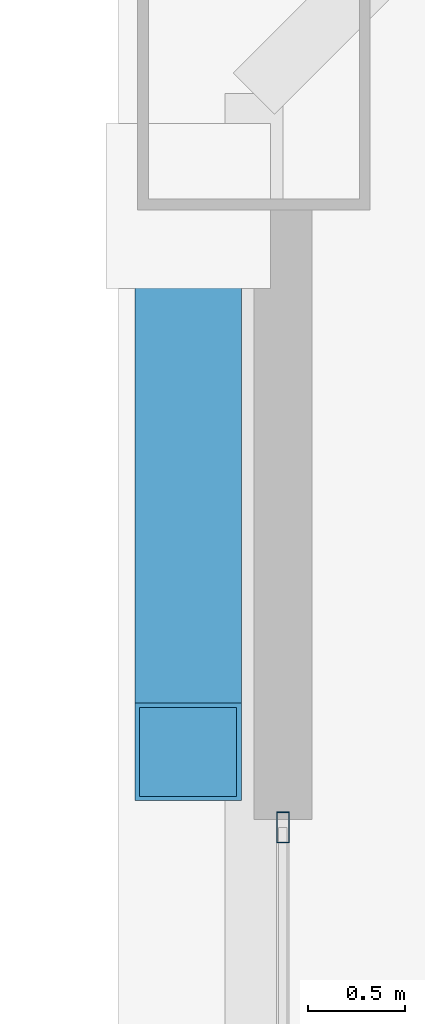
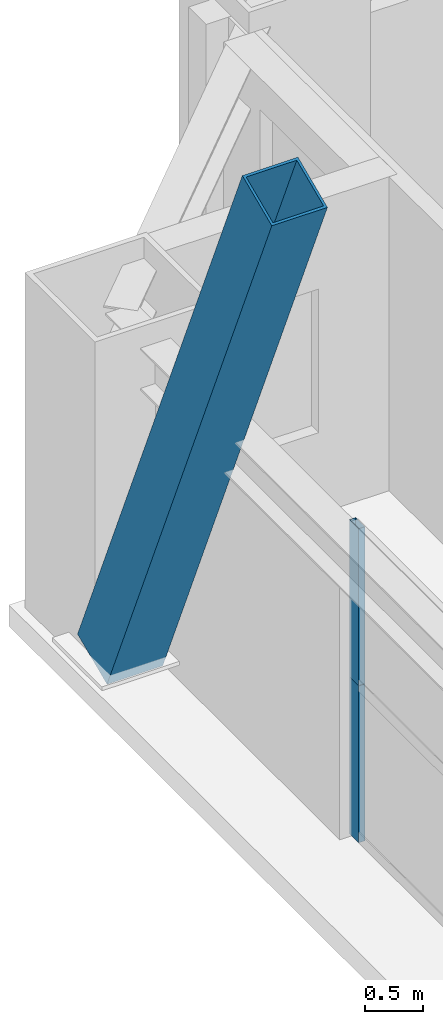
# One storey, part 19 of 33: 3 members, 1 element without a shape of its own.
"""IFC4 building model written with IfcOpenShell, lengths in metres."""

from ifc_helpers import new_model, si_unit, direction, frame, origin, origin_2d, place, context, subcontext, project, spatial, hollow_rectangle, extrude, source, transform, mapped, material, layer, layer_set, material_profile, profile_set, type_object, element, aggregate, save


model = new_model("IFC4")

# Units and contexts
model_context = context("Model", 3, precision=1e-05, world=origin(), true_north=direction((0.0, 1.0)))
body_context = subcontext(model_context, "Body", "Model", "MODEL_VIEW")
ifc_project = project(units=[si_unit("LENGTHUNIT", "METRE"), si_unit("AREAUNIT", "SQUARE_METRE"), si_unit("VOLUMEUNIT", "CUBIC_METRE"), si_unit("PLANEANGLEUNIT", "RADIAN"), si_unit("MASSUNIT", "GRAM", prefix="KILO"), si_unit("THERMODYNAMICTEMPERATUREUNIT", "KELVIN"), si_unit("POWERUNIT", "WATT")], contexts=[model_context])

# Site, building, storey
site_placement = place(None, origin())
site = spatial("IfcSite", under=ifc_project, at=site_placement, CompositionType="ELEMENT")
building_placement = place(site_placement, origin())
building = spatial("IfcBuilding", under=site, at=building_placement, Name="Yuzanri Waterfront Tower", CompositionType="ELEMENT")
storey_placement = place(building_placement, frame((0.0, 0.0, 234.60009765625)))
storey = spatial("IfcBuildingStorey", under=building, at=storey_placement, Name="L62", CompositionType="ELEMENT", Elevation=234.60009765625)

# Member
ifc_material_1 = material(Name="Steel Q390GJC", Category="steel")
ifc_material_profile_1 = material_profile(ifc_material_1, hollow_rectangle(XDim=0.550048828125, YDim=0.550048828125, WallThickness=0.02490234375, at=origin_2d()), Name="RHS 550x550x25")
ifc_profile_set_1 = profile_set([ifc_material_profile_1], Name="Steel Q390GJC")
member_type_1 = type_object("IfcMemberType", Name="Mega Brace Mid Q390GJC RHS 550x550x25", PredefinedType="BRACE", material=ifc_profile_set_1)
shared_shape_1 = source(origin(), body_context, "Body", "SweptSolid", [
    extrude(hollow_rectangle(XDim=0.550048828125, YDim=0.550048828125, WallThickness=0.02490234375, at=origin_2d()), origin(), (0.0, 0.0, 1.0), 7.08544921875),
])
member_1_placement = place(storey_placement, frame((16.06005859375, 42.219970703125, 0.179931640625), z_axis=(0.0, -0.398011598745, 0.917380383082), x_axis=(1.0, 0.0, 0.0)))
element("IfcMember", 1, at=member_1_placement, inside=storey, type_object=member_type_1, Name="L62-L63 Perimeter Mega-Brace W-R", PredefinedType="BRACE", context=body_context, shape_type="MappedRepresentation", body=[
    mapped(shared_shape_1, transform((0.0, 0.0, 0.0), scale=1.0)),
])

# Curtain wall, members
ifc_material_2 = material(Name="Anodized Architectural Bronze", Category="metal")
ifc_layer = layer(ifc_material_2, 0.159912109375)
ifc_layer_set = layer_set([ifc_layer], Name="Anodized Architectural Bronze")
curtain_wall_type = type_object("IfcCurtainWallType", Name="Anodized Bronze Mid-Rise Residential Acoustic Unitized Curtain Wall 7200", PredefinedType="NOTDEFINED", material=ifc_layer_set)
curtain_wall_placement = place(storey_placement, origin())
curtain_wall = element("IfcCurtainWall", 2, at=curtain_wall_placement, inside=storey, type_object=curtain_wall_type, Name="L62 Curtain Wall CW-L62-WR", PredefinedType="NOTDEFINED")
ifc_material_3 = material(Name="Anodized Architectural Bronze", Category="metal")
ifc_material_profile_2 = material_profile(ifc_material_3, hollow_rectangle(XDim=0.06494140625, YDim=0.159912109375, WallThickness=0.00341796875, at=origin_2d()), Name="CWM 65x160")
ifc_profile_set_2 = profile_set([ifc_material_profile_2], Name="Anodized Architectural Bronze")
member_type_2 = type_object("IfcMemberType", Name="Anodized Bronze Upper-Zone Curtain-Wall Mullion 65x160", PredefinedType="MULLION", material=ifc_profile_set_2)
shared_shape_2 = source(origin(), body_context, "Body", "SweptSolid", [
    extrude(hollow_rectangle(XDim=0.06494140625, YDim=0.159912109375, WallThickness=0.00341796875, at=origin_2d()), origin(), (0.0, 0.0, 1.0), 1.637939453125),
])
member_2_placement = place(storey_placement, frame((16.550048828125, 39.010009765625, 0.0), z_axis=(0.0, 0.0, 1.0), x_axis=(1.0, 0.0, 0.0)))
member_2 = element("IfcMember", 3, at=member_2_placement, type_object=member_type_2, Name="CW-L62-WR Lower Mullion 02", PredefinedType="MULLION", context=body_context, shape_type="MappedRepresentation", body=[
    mapped(shared_shape_2, transform((0.0, 0.0, 0.0), scale=1.0)),
])
member_3_placement = place(storey_placement, frame((16.550048828125, 39.010009765625, 1.641845703125), z_axis=(0.0, 0.0, 1.0), x_axis=(1.0, 0.0, 0.0)))
member_3 = element("IfcMember", 4, at=member_3_placement, type_object=member_type_2, Name="CW-L62-WR Upper Mullion 02", PredefinedType="MULLION", context=body_context, shape_type="MappedRepresentation", body=[
    mapped(shared_shape_2, transform((0.0, 0.0, 0.0), scale=1.0)),
])
aggregate(curtain_wall, [member_2, member_3])

save(model, "model.ifc")
